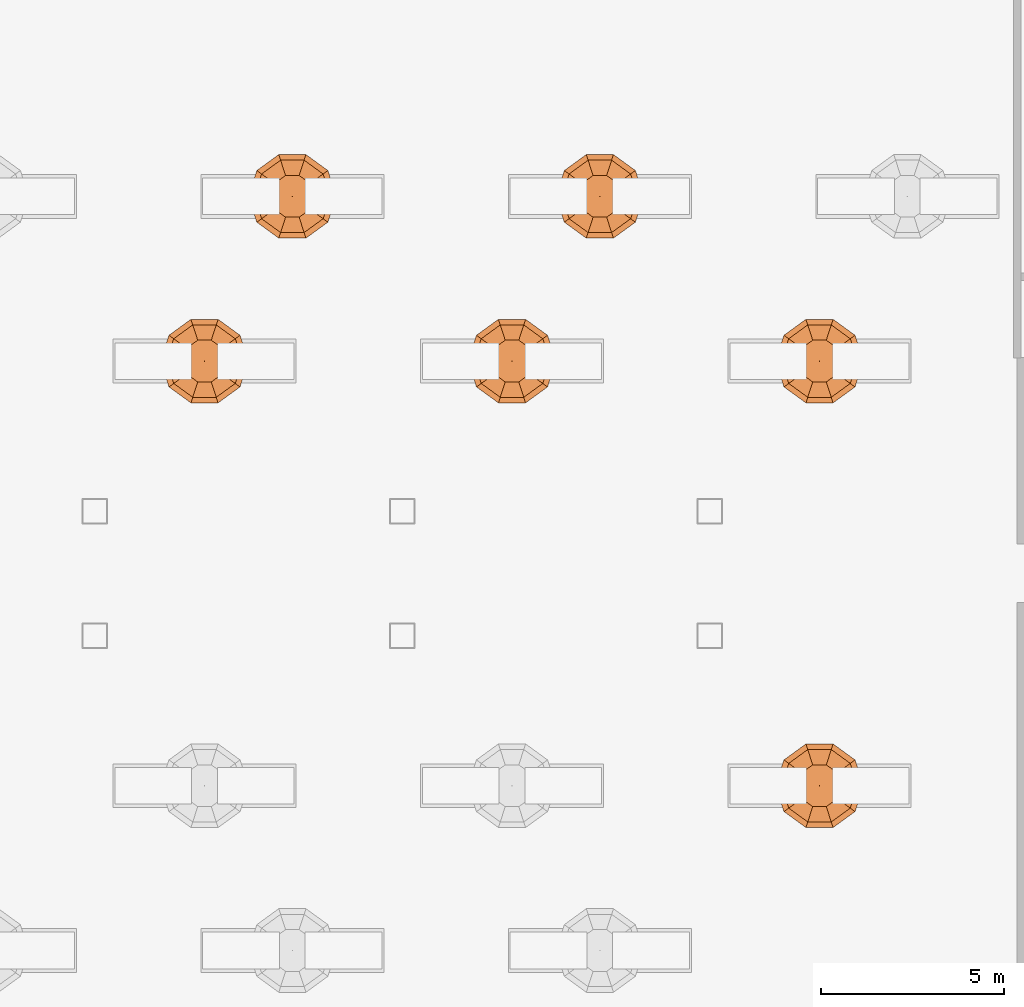
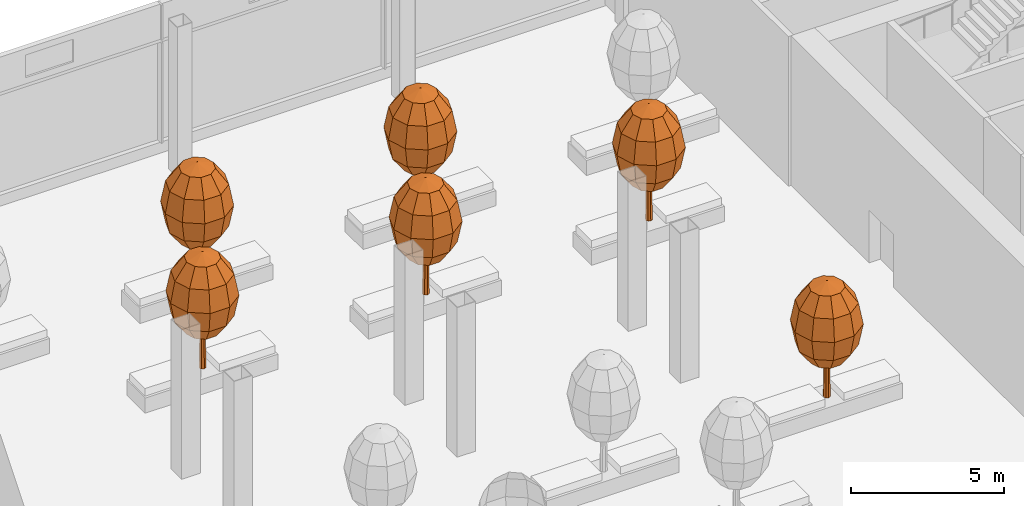
# One storey, part 39 of 41: 6 geographic elements.
"""IFC4 building model written with IfcOpenShell, lengths in metres."""

from ifc_helpers import new_model, si_unit, direction, frame, origin, place, context, subcontext, project, spatial, triangles, material, type_object, element, save


model = new_model("IFC4")

# Units and contexts
model_context = context("Model", 3, precision=1e-05, world=origin(), true_north=direction((0.0, 1.0)))
body_context = subcontext(model_context, "Body", "Model", "MODEL_VIEW")
ifc_project = project(units=[si_unit("LENGTHUNIT", "METRE"), si_unit("AREAUNIT", "SQUARE_METRE"), si_unit("VOLUMEUNIT", "CUBIC_METRE"), si_unit("PLANEANGLEUNIT", "RADIAN"), si_unit("MASSUNIT", "GRAM", prefix="KILO")], contexts=[model_context])

# Site, building, storey
site_placement = place(None, origin())
site = spatial("IfcSite", under=ifc_project, at=site_placement, CompositionType="ELEMENT")
building_placement = place(site_placement, origin())
building = spatial("IfcBuilding", under=site, at=building_placement, Name="Hakoniwa Tower and Hamabe Station Hall", CompositionType="ELEMENT")
storey_placement = place(building_placement, frame((0.0, 0.0, 180.199951171875)))
storey = spatial("IfcBuildingStorey", under=building, at=storey_placement, Name="L51", CompositionType="ELEMENT", Elevation=180.199951171875)

# Geographic elements
ifc_material = material(Name="Tree foliage")
geographic_element_type = type_object("IfcGeographicElementType", Name="Camellia 4.6 m", PredefinedType="USERDEFINED", material=ifc_material)
geographic_element_1_placement = place(storey_placement, frame((-5.39990234375, 8.300048828125, 0.60009765625)))
element("IfcGeographicElement", 1, at=geographic_element_1_placement, inside=storey, type_object=geographic_element_type, Name="Camellia 4-6 m", ObjectType="TREE", PredefinedType="USERDEFINED", context=body_context, shape_type="Tessellation", body=[
    triangles([(0.125, 0.0, 0.0), (0.08837890625, 0.08837890625, 0.0), (0.0, 0.125, 0.0), (-0.08837890625, 0.08837890625, 0.0), (-0.125, 0.0, 0.0), (-0.08837890625, -0.08837890625, 0.0), (0.0, -0.125, 0.0), (0.08837890625, -0.08837890625, 0.0), (0.074951171875, 0.0, 2.778564453125), (0.052978515625, 0.052978515625, 2.778564453125), (0.0, 0.074951171875, 2.778564453125), (-0.052978515625, 0.052978515625, 2.778564453125), (-0.074951171875, 0.0, 2.778564453125), (-0.052978515625, -0.052978515625, 2.778564453125), (0.0, -0.074951171875, 2.778564453125), (0.052978515625, -0.052978515625, 2.778564453125), (0.0, 0.0, 0.0), (0.0, 0.0, 2.778564453125)], [[1, 2, 10], [1, 10, 9], [17, 2, 1], [18, 9, 10], [2, 3, 11], [2, 11, 10], [17, 3, 2], [18, 10, 11], [3, 4, 12], [3, 12, 11], [17, 4, 3], [18, 11, 12], [4, 5, 13], [4, 13, 12], [17, 5, 4], [18, 12, 13], [5, 6, 14], [5, 14, 13], [17, 6, 5], [18, 13, 14], [6, 7, 15], [6, 15, 14], [17, 7, 6], [18, 14, 15], [7, 8, 16], [7, 16, 15], [17, 8, 7], [18, 15, 16], [8, 1, 9], [8, 9, 16], [17, 1, 8], [18, 16, 9]], closed=True),
    triangles([(0.0, 0.0, 1.2880859375), (0.599853515625, 0.0, 1.510009765625), (0.4853515625, 0.3525390625, 1.510009765625), (0.185302734375, 0.570556640625, 1.510009765625), (-0.185302734375, 0.570556640625, 1.510009765625), (-0.4853515625, 0.3525390625, 1.510009765625), (-0.599853515625, 0.0, 1.510009765625), (-0.4853515625, -0.3525390625, 1.510009765625), (-0.185302734375, -0.570556640625, 1.510009765625), (0.185302734375, -0.570556640625, 1.510009765625), (0.4853515625, -0.3525390625, 1.510009765625), (1.039306640625, 0.0, 2.115966796875), (0.8408203125, 0.61083984375, 2.115966796875), (0.321044921875, 0.98828125, 2.115966796875), (-0.321044921875, 0.98828125, 2.115966796875), (-0.8408203125, 0.61083984375, 2.115966796875), (-1.039306640625, 0.0, 2.115966796875), (-0.8408203125, -0.61083984375, 2.115966796875), (-0.321044921875, -0.98828125, 2.115966796875), (0.321044921875, -0.98828125, 2.115966796875), (0.8408203125, -0.61083984375, 2.115966796875), (1.199951171875, 0.0, 2.944091796875), (0.970703125, 0.705322265625, 2.944091796875), (0.370849609375, 1.14111328125, 2.944091796875), (-0.370849609375, 1.14111328125, 2.944091796875), (-0.970703125, 0.705322265625, 2.944091796875), (-1.199951171875, 0.0, 2.944091796875), (-0.970703125, -0.705322265625, 2.944091796875), (-0.370849609375, -1.14111328125, 2.944091796875), (0.370849609375, -1.14111328125, 2.944091796875), (0.970703125, -0.705322265625, 2.944091796875), (1.039306640625, 0.0, 3.77197265625), (0.8408203125, 0.61083984375, 3.77197265625), (0.321044921875, 0.98828125, 3.77197265625), (-0.321044921875, 0.98828125, 3.77197265625), (-0.8408203125, 0.61083984375, 3.77197265625), (-1.039306640625, 0.0, 3.77197265625), (-0.8408203125, -0.61083984375, 3.77197265625), (-0.321044921875, -0.98828125, 3.77197265625), (0.321044921875, -0.98828125, 3.77197265625), (0.8408203125, -0.61083984375, 3.77197265625), (0.599853515625, 0.0, 4.378173828125), (0.4853515625, 0.3525390625, 4.378173828125), (0.185302734375, 0.570556640625, 4.378173828125), (-0.185302734375, 0.570556640625, 4.378173828125), (-0.4853515625, 0.3525390625, 4.378173828125), (-0.599853515625, 0.0, 4.378173828125), (-0.4853515625, -0.3525390625, 4.378173828125), (-0.185302734375, -0.570556640625, 4.378173828125), (0.185302734375, -0.570556640625, 4.378173828125), (0.4853515625, -0.3525390625, 4.378173828125), (0.0, 0.0, 4.60009765625)], [[1, 3, 2], [1, 4, 3], [1, 5, 4], [1, 6, 5], [1, 7, 6], [1, 8, 7], [1, 9, 8], [1, 10, 9], [1, 11, 10], [1, 2, 11], [2, 3, 13], [2, 13, 12], [3, 4, 14], [3, 14, 13], [4, 5, 15], [4, 15, 14], [5, 6, 16], [5, 16, 15], [6, 7, 17], [6, 17, 16], [7, 8, 18], [7, 18, 17], [8, 9, 19], [8, 19, 18], [9, 10, 20], [9, 20, 19], [10, 11, 21], [10, 21, 20], [11, 2, 12], [11, 12, 21], [12, 13, 23], [12, 23, 22], [13, 14, 24], [13, 24, 23], [14, 15, 25], [14, 25, 24], [15, 16, 26], [15, 26, 25], [16, 17, 27], [16, 27, 26], [17, 18, 28], [17, 28, 27], [18, 19, 29], [18, 29, 28], [19, 20, 30], [19, 30, 29], [20, 21, 31], [20, 31, 30], [21, 12, 22], [21, 22, 31], [22, 23, 33], [22, 33, 32], [23, 24, 34], [23, 34, 33], [24, 25, 35], [24, 35, 34], [25, 26, 36], [25, 36, 35], [26, 27, 37], [26, 37, 36], [27, 28, 38], [27, 38, 37], [28, 29, 39], [28, 39, 38], [29, 30, 40], [29, 40, 39], [30, 31, 41], [30, 41, 40], [31, 22, 32], [31, 32, 41], [32, 33, 43], [32, 43, 42], [33, 34, 44], [33, 44, 43], [34, 35, 45], [34, 45, 44], [35, 36, 46], [35, 46, 45], [36, 37, 47], [36, 47, 46], [37, 38, 48], [37, 48, 47], [38, 39, 49], [38, 49, 48], [39, 40, 50], [39, 50, 49], [40, 41, 51], [40, 51, 50], [41, 32, 42], [41, 42, 51], [52, 42, 43], [52, 43, 44], [52, 44, 45], [52, 45, 46], [52, 46, 47], [52, 47, 48], [52, 48, 49], [52, 49, 50], [52, 50, 51], [52, 51, 42]], closed=True),
])
geographic_element_2_placement = place(storey_placement, frame((3.0, 8.300048828125, 0.60009765625)))
element("IfcGeographicElement", 2, at=geographic_element_2_placement, inside=storey, type_object=geographic_element_type, Name="Camellia 4-6 m", ObjectType="TREE", PredefinedType="USERDEFINED", context=body_context, shape_type="Tessellation", body=[
    triangles([(0.125, 0.0, 0.0), (0.08837890625, 0.08837890625, 0.0), (0.0, 0.125, 0.0), (-0.08837890625, 0.08837890625, 0.0), (-0.125, 0.0, 0.0), (-0.08837890625, -0.08837890625, 0.0), (0.0, -0.125, 0.0), (0.08837890625, -0.08837890625, 0.0), (0.074951171875, 0.0, 2.778564453125), (0.052978515625, 0.052978515625, 2.778564453125), (0.0, 0.074951171875, 2.778564453125), (-0.052978515625, 0.052978515625, 2.778564453125), (-0.074951171875, 0.0, 2.778564453125), (-0.052978515625, -0.052978515625, 2.778564453125), (0.0, -0.074951171875, 2.778564453125), (0.052978515625, -0.052978515625, 2.778564453125), (0.0, 0.0, 0.0), (0.0, 0.0, 2.778564453125)], [[1, 2, 10], [1, 10, 9], [17, 2, 1], [18, 9, 10], [2, 3, 11], [2, 11, 10], [17, 3, 2], [18, 10, 11], [3, 4, 12], [3, 12, 11], [17, 4, 3], [18, 11, 12], [4, 5, 13], [4, 13, 12], [17, 5, 4], [18, 12, 13], [5, 6, 14], [5, 14, 13], [17, 6, 5], [18, 13, 14], [6, 7, 15], [6, 15, 14], [17, 7, 6], [18, 14, 15], [7, 8, 16], [7, 16, 15], [17, 8, 7], [18, 15, 16], [8, 1, 9], [8, 9, 16], [17, 1, 8], [18, 16, 9]], closed=True),
    triangles([(0.0, 0.0, 1.2880859375), (0.599853515625, 0.0, 1.510009765625), (0.4853515625, 0.3525390625, 1.510009765625), (0.185302734375, 0.570556640625, 1.510009765625), (-0.185302734375, 0.570556640625, 1.510009765625), (-0.4853515625, 0.3525390625, 1.510009765625), (-0.599853515625, 0.0, 1.510009765625), (-0.4853515625, -0.3525390625, 1.510009765625), (-0.185302734375, -0.570556640625, 1.510009765625), (0.185302734375, -0.570556640625, 1.510009765625), (0.4853515625, -0.3525390625, 1.510009765625), (1.039306640625, 0.0, 2.115966796875), (0.8408203125, 0.61083984375, 2.115966796875), (0.321044921875, 0.98828125, 2.115966796875), (-0.321044921875, 0.98828125, 2.115966796875), (-0.8408203125, 0.61083984375, 2.115966796875), (-1.039306640625, 0.0, 2.115966796875), (-0.8408203125, -0.61083984375, 2.115966796875), (-0.321044921875, -0.98828125, 2.115966796875), (0.321044921875, -0.98828125, 2.115966796875), (0.8408203125, -0.61083984375, 2.115966796875), (1.199951171875, 0.0, 2.944091796875), (0.970703125, 0.705322265625, 2.944091796875), (0.370849609375, 1.14111328125, 2.944091796875), (-0.370849609375, 1.14111328125, 2.944091796875), (-0.970703125, 0.705322265625, 2.944091796875), (-1.199951171875, 0.0, 2.944091796875), (-0.970703125, -0.705322265625, 2.944091796875), (-0.370849609375, -1.14111328125, 2.944091796875), (0.370849609375, -1.14111328125, 2.944091796875), (0.970703125, -0.705322265625, 2.944091796875), (1.039306640625, 0.0, 3.77197265625), (0.8408203125, 0.61083984375, 3.77197265625), (0.321044921875, 0.98828125, 3.77197265625), (-0.321044921875, 0.98828125, 3.77197265625), (-0.8408203125, 0.61083984375, 3.77197265625), (-1.039306640625, 0.0, 3.77197265625), (-0.8408203125, -0.61083984375, 3.77197265625), (-0.321044921875, -0.98828125, 3.77197265625), (0.321044921875, -0.98828125, 3.77197265625), (0.8408203125, -0.61083984375, 3.77197265625), (0.599853515625, 0.0, 4.378173828125), (0.4853515625, 0.3525390625, 4.378173828125), (0.185302734375, 0.570556640625, 4.378173828125), (-0.185302734375, 0.570556640625, 4.378173828125), (-0.4853515625, 0.3525390625, 4.378173828125), (-0.599853515625, 0.0, 4.378173828125), (-0.4853515625, -0.3525390625, 4.378173828125), (-0.185302734375, -0.570556640625, 4.378173828125), (0.185302734375, -0.570556640625, 4.378173828125), (0.4853515625, -0.3525390625, 4.378173828125), (0.0, 0.0, 4.60009765625)], [[1, 3, 2], [1, 4, 3], [1, 5, 4], [1, 6, 5], [1, 7, 6], [1, 8, 7], [1, 9, 8], [1, 10, 9], [1, 11, 10], [1, 2, 11], [2, 3, 13], [2, 13, 12], [3, 4, 14], [3, 14, 13], [4, 5, 15], [4, 15, 14], [5, 6, 16], [5, 16, 15], [6, 7, 17], [6, 17, 16], [7, 8, 18], [7, 18, 17], [8, 9, 19], [8, 19, 18], [9, 10, 20], [9, 20, 19], [10, 11, 21], [10, 21, 20], [11, 2, 12], [11, 12, 21], [12, 13, 23], [12, 23, 22], [13, 14, 24], [13, 24, 23], [14, 15, 25], [14, 25, 24], [15, 16, 26], [15, 26, 25], [16, 17, 27], [16, 27, 26], [17, 18, 28], [17, 28, 27], [18, 19, 29], [18, 29, 28], [19, 20, 30], [19, 30, 29], [20, 21, 31], [20, 31, 30], [21, 12, 22], [21, 22, 31], [22, 23, 33], [22, 33, 32], [23, 24, 34], [23, 34, 33], [24, 25, 35], [24, 35, 34], [25, 26, 36], [25, 36, 35], [26, 27, 37], [26, 37, 36], [27, 28, 38], [27, 38, 37], [28, 29, 39], [28, 39, 38], [29, 30, 40], [29, 40, 39], [30, 31, 41], [30, 41, 40], [31, 22, 32], [31, 32, 41], [32, 33, 43], [32, 43, 42], [33, 34, 44], [33, 44, 43], [34, 35, 45], [34, 45, 44], [35, 36, 46], [35, 46, 45], [36, 37, 47], [36, 47, 46], [37, 38, 48], [37, 48, 47], [38, 39, 49], [38, 49, 48], [39, 40, 50], [39, 50, 49], [40, 41, 51], [40, 51, 50], [41, 32, 42], [41, 42, 51], [52, 42, 43], [52, 43, 44], [52, 44, 45], [52, 45, 46], [52, 46, 47], [52, 47, 48], [52, 48, 49], [52, 49, 50], [52, 50, 51], [52, 51, 42]], closed=True),
])
geographic_element_3_placement = place(storey_placement, frame((11.39990234375, 8.300048828125, 0.60009765625)))
element("IfcGeographicElement", 3, at=geographic_element_3_placement, inside=storey, type_object=geographic_element_type, Name="Camellia 4-6 m", ObjectType="TREE", PredefinedType="USERDEFINED", context=body_context, shape_type="Tessellation", body=[
    triangles([(0.125, 0.0, 0.0), (0.08837890625, 0.08837890625, 0.0), (0.0, 0.125, 0.0), (-0.08837890625, 0.08837890625, 0.0), (-0.125, 0.0, 0.0), (-0.08837890625, -0.08837890625, 0.0), (0.0, -0.125, 0.0), (0.08837890625, -0.08837890625, 0.0), (0.074951171875, 0.0, 2.778564453125), (0.052978515625, 0.052978515625, 2.778564453125), (0.0, 0.074951171875, 2.778564453125), (-0.052978515625, 0.052978515625, 2.778564453125), (-0.074951171875, 0.0, 2.778564453125), (-0.052978515625, -0.052978515625, 2.778564453125), (0.0, -0.074951171875, 2.778564453125), (0.052978515625, -0.052978515625, 2.778564453125), (0.0, 0.0, 0.0), (0.0, 0.0, 2.778564453125)], [[1, 2, 10], [1, 10, 9], [17, 2, 1], [18, 9, 10], [2, 3, 11], [2, 11, 10], [17, 3, 2], [18, 10, 11], [3, 4, 12], [3, 12, 11], [17, 4, 3], [18, 11, 12], [4, 5, 13], [4, 13, 12], [17, 5, 4], [18, 12, 13], [5, 6, 14], [5, 14, 13], [17, 6, 5], [18, 13, 14], [6, 7, 15], [6, 15, 14], [17, 7, 6], [18, 14, 15], [7, 8, 16], [7, 16, 15], [17, 8, 7], [18, 15, 16], [8, 1, 9], [8, 9, 16], [17, 1, 8], [18, 16, 9]], closed=True),
    triangles([(0.0, 0.0, 1.2880859375), (0.599853515625, 0.0, 1.510009765625), (0.4853515625, 0.3525390625, 1.510009765625), (0.185302734375, 0.570556640625, 1.510009765625), (-0.185302734375, 0.570556640625, 1.510009765625), (-0.4853515625, 0.3525390625, 1.510009765625), (-0.599853515625, 0.0, 1.510009765625), (-0.4853515625, -0.3525390625, 1.510009765625), (-0.185302734375, -0.570556640625, 1.510009765625), (0.185302734375, -0.570556640625, 1.510009765625), (0.4853515625, -0.3525390625, 1.510009765625), (1.039306640625, 0.0, 2.115966796875), (0.8408203125, 0.61083984375, 2.115966796875), (0.321044921875, 0.98828125, 2.115966796875), (-0.321044921875, 0.98828125, 2.115966796875), (-0.8408203125, 0.61083984375, 2.115966796875), (-1.039306640625, 0.0, 2.115966796875), (-0.8408203125, -0.61083984375, 2.115966796875), (-0.321044921875, -0.98828125, 2.115966796875), (0.321044921875, -0.98828125, 2.115966796875), (0.8408203125, -0.61083984375, 2.115966796875), (1.199951171875, 0.0, 2.944091796875), (0.970703125, 0.705322265625, 2.944091796875), (0.370849609375, 1.14111328125, 2.944091796875), (-0.370849609375, 1.14111328125, 2.944091796875), (-0.970703125, 0.705322265625, 2.944091796875), (-1.199951171875, 0.0, 2.944091796875), (-0.970703125, -0.705322265625, 2.944091796875), (-0.370849609375, -1.14111328125, 2.944091796875), (0.370849609375, -1.14111328125, 2.944091796875), (0.970703125, -0.705322265625, 2.944091796875), (1.039306640625, 0.0, 3.77197265625), (0.8408203125, 0.61083984375, 3.77197265625), (0.321044921875, 0.98828125, 3.77197265625), (-0.321044921875, 0.98828125, 3.77197265625), (-0.8408203125, 0.61083984375, 3.77197265625), (-1.039306640625, 0.0, 3.77197265625), (-0.8408203125, -0.61083984375, 3.77197265625), (-0.321044921875, -0.98828125, 3.77197265625), (0.321044921875, -0.98828125, 3.77197265625), (0.8408203125, -0.61083984375, 3.77197265625), (0.599853515625, 0.0, 4.378173828125), (0.4853515625, 0.3525390625, 4.378173828125), (0.185302734375, 0.570556640625, 4.378173828125), (-0.185302734375, 0.570556640625, 4.378173828125), (-0.4853515625, 0.3525390625, 4.378173828125), (-0.599853515625, 0.0, 4.378173828125), (-0.4853515625, -0.3525390625, 4.378173828125), (-0.185302734375, -0.570556640625, 4.378173828125), (0.185302734375, -0.570556640625, 4.378173828125), (0.4853515625, -0.3525390625, 4.378173828125), (0.0, 0.0, 4.60009765625)], [[1, 3, 2], [1, 4, 3], [1, 5, 4], [1, 6, 5], [1, 7, 6], [1, 8, 7], [1, 9, 8], [1, 10, 9], [1, 11, 10], [1, 2, 11], [2, 3, 13], [2, 13, 12], [3, 4, 14], [3, 14, 13], [4, 5, 15], [4, 15, 14], [5, 6, 16], [5, 16, 15], [6, 7, 17], [6, 17, 16], [7, 8, 18], [7, 18, 17], [8, 9, 19], [8, 19, 18], [9, 10, 20], [9, 20, 19], [10, 11, 21], [10, 21, 20], [11, 2, 12], [11, 12, 21], [12, 13, 23], [12, 23, 22], [13, 14, 24], [13, 24, 23], [14, 15, 25], [14, 25, 24], [15, 16, 26], [15, 26, 25], [16, 17, 27], [16, 27, 26], [17, 18, 28], [17, 28, 27], [18, 19, 29], [18, 29, 28], [19, 20, 30], [19, 30, 29], [20, 21, 31], [20, 31, 30], [21, 12, 22], [21, 22, 31], [22, 23, 33], [22, 33, 32], [23, 24, 34], [23, 34, 33], [24, 25, 35], [24, 35, 34], [25, 26, 36], [25, 36, 35], [26, 27, 37], [26, 37, 36], [27, 28, 38], [27, 38, 37], [28, 29, 39], [28, 39, 38], [29, 30, 40], [29, 40, 39], [30, 31, 41], [30, 41, 40], [31, 22, 32], [31, 32, 41], [32, 33, 43], [32, 43, 42], [33, 34, 44], [33, 44, 43], [34, 35, 45], [34, 45, 44], [35, 36, 46], [35, 46, 45], [36, 37, 47], [36, 47, 46], [37, 38, 48], [37, 48, 47], [38, 39, 49], [38, 49, 48], [39, 40, 50], [39, 50, 49], [40, 41, 51], [40, 51, 50], [41, 32, 42], [41, 42, 51], [52, 42, 43], [52, 43, 44], [52, 44, 45], [52, 45, 46], [52, 46, 47], [52, 47, 48], [52, 48, 49], [52, 49, 50], [52, 50, 51], [52, 51, 42]], closed=True),
])
geographic_element_4_placement = place(storey_placement, frame((-3.0, 12.800048828125, 0.60009765625)))
element("IfcGeographicElement", 4, at=geographic_element_4_placement, inside=storey, type_object=geographic_element_type, Name="Camellia 4-6 m", ObjectType="TREE", PredefinedType="USERDEFINED", context=body_context, shape_type="Tessellation", body=[
    triangles([(0.125, 0.0, 0.0), (0.08837890625, 0.08837890625, 0.0), (0.0, 0.125, 0.0), (-0.08837890625, 0.08837890625, 0.0), (-0.125, 0.0, 0.0), (-0.08837890625, -0.08837890625, 0.0), (0.0, -0.125, 0.0), (0.08837890625, -0.08837890625, 0.0), (0.074951171875, 0.0, 2.778564453125), (0.052978515625, 0.052978515625, 2.778564453125), (0.0, 0.074951171875, 2.778564453125), (-0.052978515625, 0.052978515625, 2.778564453125), (-0.074951171875, 0.0, 2.778564453125), (-0.052978515625, -0.052978515625, 2.778564453125), (0.0, -0.074951171875, 2.778564453125), (0.052978515625, -0.052978515625, 2.778564453125), (0.0, 0.0, 0.0), (0.0, 0.0, 2.778564453125)], [[1, 2, 10], [1, 10, 9], [17, 2, 1], [18, 9, 10], [2, 3, 11], [2, 11, 10], [17, 3, 2], [18, 10, 11], [3, 4, 12], [3, 12, 11], [17, 4, 3], [18, 11, 12], [4, 5, 13], [4, 13, 12], [17, 5, 4], [18, 12, 13], [5, 6, 14], [5, 14, 13], [17, 6, 5], [18, 13, 14], [6, 7, 15], [6, 15, 14], [17, 7, 6], [18, 14, 15], [7, 8, 16], [7, 16, 15], [17, 8, 7], [18, 15, 16], [8, 1, 9], [8, 9, 16], [17, 1, 8], [18, 16, 9]], closed=True),
    triangles([(0.0, 0.0, 1.2880859375), (0.599853515625, 0.0, 1.510009765625), (0.4853515625, 0.3525390625, 1.510009765625), (0.185302734375, 0.570556640625, 1.510009765625), (-0.185302734375, 0.570556640625, 1.510009765625), (-0.4853515625, 0.3525390625, 1.510009765625), (-0.599853515625, 0.0, 1.510009765625), (-0.4853515625, -0.3525390625, 1.510009765625), (-0.185302734375, -0.570556640625, 1.510009765625), (0.185302734375, -0.570556640625, 1.510009765625), (0.4853515625, -0.3525390625, 1.510009765625), (1.039306640625, 0.0, 2.115966796875), (0.8408203125, 0.61083984375, 2.115966796875), (0.321044921875, 0.98828125, 2.115966796875), (-0.321044921875, 0.98828125, 2.115966796875), (-0.8408203125, 0.61083984375, 2.115966796875), (-1.039306640625, 0.0, 2.115966796875), (-0.8408203125, -0.61083984375, 2.115966796875), (-0.321044921875, -0.98828125, 2.115966796875), (0.321044921875, -0.98828125, 2.115966796875), (0.8408203125, -0.61083984375, 2.115966796875), (1.199951171875, 0.0, 2.944091796875), (0.970703125, 0.705322265625, 2.944091796875), (0.370849609375, 1.14111328125, 2.944091796875), (-0.370849609375, 1.14111328125, 2.944091796875), (-0.970703125, 0.705322265625, 2.944091796875), (-1.199951171875, 0.0, 2.944091796875), (-0.970703125, -0.705322265625, 2.944091796875), (-0.370849609375, -1.14111328125, 2.944091796875), (0.370849609375, -1.14111328125, 2.944091796875), (0.970703125, -0.705322265625, 2.944091796875), (1.039306640625, 0.0, 3.77197265625), (0.8408203125, 0.61083984375, 3.77197265625), (0.321044921875, 0.98828125, 3.77197265625), (-0.321044921875, 0.98828125, 3.77197265625), (-0.8408203125, 0.61083984375, 3.77197265625), (-1.039306640625, 0.0, 3.77197265625), (-0.8408203125, -0.61083984375, 3.77197265625), (-0.321044921875, -0.98828125, 3.77197265625), (0.321044921875, -0.98828125, 3.77197265625), (0.8408203125, -0.61083984375, 3.77197265625), (0.599853515625, 0.0, 4.378173828125), (0.4853515625, 0.3525390625, 4.378173828125), (0.185302734375, 0.570556640625, 4.378173828125), (-0.185302734375, 0.570556640625, 4.378173828125), (-0.4853515625, 0.3525390625, 4.378173828125), (-0.599853515625, 0.0, 4.378173828125), (-0.4853515625, -0.3525390625, 4.378173828125), (-0.185302734375, -0.570556640625, 4.378173828125), (0.185302734375, -0.570556640625, 4.378173828125), (0.4853515625, -0.3525390625, 4.378173828125), (0.0, 0.0, 4.60009765625)], [[1, 3, 2], [1, 4, 3], [1, 5, 4], [1, 6, 5], [1, 7, 6], [1, 8, 7], [1, 9, 8], [1, 10, 9], [1, 11, 10], [1, 2, 11], [2, 3, 13], [2, 13, 12], [3, 4, 14], [3, 14, 13], [4, 5, 15], [4, 15, 14], [5, 6, 16], [5, 16, 15], [6, 7, 17], [6, 17, 16], [7, 8, 18], [7, 18, 17], [8, 9, 19], [8, 19, 18], [9, 10, 20], [9, 20, 19], [10, 11, 21], [10, 21, 20], [11, 2, 12], [11, 12, 21], [12, 13, 23], [12, 23, 22], [13, 14, 24], [13, 24, 23], [14, 15, 25], [14, 25, 24], [15, 16, 26], [15, 26, 25], [16, 17, 27], [16, 27, 26], [17, 18, 28], [17, 28, 27], [18, 19, 29], [18, 29, 28], [19, 20, 30], [19, 30, 29], [20, 21, 31], [20, 31, 30], [21, 12, 22], [21, 22, 31], [22, 23, 33], [22, 33, 32], [23, 24, 34], [23, 34, 33], [24, 25, 35], [24, 35, 34], [25, 26, 36], [25, 36, 35], [26, 27, 37], [26, 37, 36], [27, 28, 38], [27, 38, 37], [28, 29, 39], [28, 39, 38], [29, 30, 40], [29, 40, 39], [30, 31, 41], [30, 41, 40], [31, 22, 32], [31, 32, 41], [32, 33, 43], [32, 43, 42], [33, 34, 44], [33, 44, 43], [34, 35, 45], [34, 45, 44], [35, 36, 46], [35, 46, 45], [36, 37, 47], [36, 47, 46], [37, 38, 48], [37, 48, 47], [38, 39, 49], [38, 49, 48], [39, 40, 50], [39, 50, 49], [40, 41, 51], [40, 51, 50], [41, 32, 42], [41, 42, 51], [52, 42, 43], [52, 43, 44], [52, 44, 45], [52, 45, 46], [52, 46, 47], [52, 47, 48], [52, 48, 49], [52, 49, 50], [52, 50, 51], [52, 51, 42]], closed=True),
])
geographic_element_5_placement = place(storey_placement, frame((5.39990234375, 12.800048828125, 0.60009765625)))
element("IfcGeographicElement", 5, at=geographic_element_5_placement, inside=storey, type_object=geographic_element_type, Name="Camellia 4-6 m", ObjectType="TREE", PredefinedType="USERDEFINED", context=body_context, shape_type="Tessellation", body=[
    triangles([(0.125, 0.0, 0.0), (0.08837890625, 0.08837890625, 0.0), (0.0, 0.125, 0.0), (-0.08837890625, 0.08837890625, 0.0), (-0.125, 0.0, 0.0), (-0.08837890625, -0.08837890625, 0.0), (0.0, -0.125, 0.0), (0.08837890625, -0.08837890625, 0.0), (0.074951171875, 0.0, 2.778564453125), (0.052978515625, 0.052978515625, 2.778564453125), (0.0, 0.074951171875, 2.778564453125), (-0.052978515625, 0.052978515625, 2.778564453125), (-0.074951171875, 0.0, 2.778564453125), (-0.052978515625, -0.052978515625, 2.778564453125), (0.0, -0.074951171875, 2.778564453125), (0.052978515625, -0.052978515625, 2.778564453125), (0.0, 0.0, 0.0), (0.0, 0.0, 2.778564453125)], [[1, 2, 10], [1, 10, 9], [17, 2, 1], [18, 9, 10], [2, 3, 11], [2, 11, 10], [17, 3, 2], [18, 10, 11], [3, 4, 12], [3, 12, 11], [17, 4, 3], [18, 11, 12], [4, 5, 13], [4, 13, 12], [17, 5, 4], [18, 12, 13], [5, 6, 14], [5, 14, 13], [17, 6, 5], [18, 13, 14], [6, 7, 15], [6, 15, 14], [17, 7, 6], [18, 14, 15], [7, 8, 16], [7, 16, 15], [17, 8, 7], [18, 15, 16], [8, 1, 9], [8, 9, 16], [17, 1, 8], [18, 16, 9]], closed=True),
    triangles([(0.0, 0.0, 1.2880859375), (0.599853515625, 0.0, 1.510009765625), (0.4853515625, 0.3525390625, 1.510009765625), (0.185302734375, 0.570556640625, 1.510009765625), (-0.185302734375, 0.570556640625, 1.510009765625), (-0.4853515625, 0.3525390625, 1.510009765625), (-0.599853515625, 0.0, 1.510009765625), (-0.4853515625, -0.3525390625, 1.510009765625), (-0.185302734375, -0.570556640625, 1.510009765625), (0.185302734375, -0.570556640625, 1.510009765625), (0.4853515625, -0.3525390625, 1.510009765625), (1.039306640625, 0.0, 2.115966796875), (0.8408203125, 0.61083984375, 2.115966796875), (0.321044921875, 0.98828125, 2.115966796875), (-0.321044921875, 0.98828125, 2.115966796875), (-0.8408203125, 0.61083984375, 2.115966796875), (-1.039306640625, 0.0, 2.115966796875), (-0.8408203125, -0.61083984375, 2.115966796875), (-0.321044921875, -0.98828125, 2.115966796875), (0.321044921875, -0.98828125, 2.115966796875), (0.8408203125, -0.61083984375, 2.115966796875), (1.199951171875, 0.0, 2.944091796875), (0.970703125, 0.705322265625, 2.944091796875), (0.370849609375, 1.14111328125, 2.944091796875), (-0.370849609375, 1.14111328125, 2.944091796875), (-0.970703125, 0.705322265625, 2.944091796875), (-1.199951171875, 0.0, 2.944091796875), (-0.970703125, -0.705322265625, 2.944091796875), (-0.370849609375, -1.14111328125, 2.944091796875), (0.370849609375, -1.14111328125, 2.944091796875), (0.970703125, -0.705322265625, 2.944091796875), (1.039306640625, 0.0, 3.77197265625), (0.8408203125, 0.61083984375, 3.77197265625), (0.321044921875, 0.98828125, 3.77197265625), (-0.321044921875, 0.98828125, 3.77197265625), (-0.8408203125, 0.61083984375, 3.77197265625), (-1.039306640625, 0.0, 3.77197265625), (-0.8408203125, -0.61083984375, 3.77197265625), (-0.321044921875, -0.98828125, 3.77197265625), (0.321044921875, -0.98828125, 3.77197265625), (0.8408203125, -0.61083984375, 3.77197265625), (0.599853515625, 0.0, 4.378173828125), (0.4853515625, 0.3525390625, 4.378173828125), (0.185302734375, 0.570556640625, 4.378173828125), (-0.185302734375, 0.570556640625, 4.378173828125), (-0.4853515625, 0.3525390625, 4.378173828125), (-0.599853515625, 0.0, 4.378173828125), (-0.4853515625, -0.3525390625, 4.378173828125), (-0.185302734375, -0.570556640625, 4.378173828125), (0.185302734375, -0.570556640625, 4.378173828125), (0.4853515625, -0.3525390625, 4.378173828125), (0.0, 0.0, 4.60009765625)], [[1, 3, 2], [1, 4, 3], [1, 5, 4], [1, 6, 5], [1, 7, 6], [1, 8, 7], [1, 9, 8], [1, 10, 9], [1, 11, 10], [1, 2, 11], [2, 3, 13], [2, 13, 12], [3, 4, 14], [3, 14, 13], [4, 5, 15], [4, 15, 14], [5, 6, 16], [5, 16, 15], [6, 7, 17], [6, 17, 16], [7, 8, 18], [7, 18, 17], [8, 9, 19], [8, 19, 18], [9, 10, 20], [9, 20, 19], [10, 11, 21], [10, 21, 20], [11, 2, 12], [11, 12, 21], [12, 13, 23], [12, 23, 22], [13, 14, 24], [13, 24, 23], [14, 15, 25], [14, 25, 24], [15, 16, 26], [15, 26, 25], [16, 17, 27], [16, 27, 26], [17, 18, 28], [17, 28, 27], [18, 19, 29], [18, 29, 28], [19, 20, 30], [19, 30, 29], [20, 21, 31], [20, 31, 30], [21, 12, 22], [21, 22, 31], [22, 23, 33], [22, 33, 32], [23, 24, 34], [23, 34, 33], [24, 25, 35], [24, 35, 34], [25, 26, 36], [25, 36, 35], [26, 27, 37], [26, 37, 36], [27, 28, 38], [27, 38, 37], [28, 29, 39], [28, 39, 38], [29, 30, 40], [29, 40, 39], [30, 31, 41], [30, 41, 40], [31, 22, 32], [31, 32, 41], [32, 33, 43], [32, 43, 42], [33, 34, 44], [33, 44, 43], [34, 35, 45], [34, 45, 44], [35, 36, 46], [35, 46, 45], [36, 37, 47], [36, 47, 46], [37, 38, 48], [37, 48, 47], [38, 39, 49], [38, 49, 48], [39, 40, 50], [39, 50, 49], [40, 41, 51], [40, 51, 50], [41, 32, 42], [41, 42, 51], [52, 42, 43], [52, 43, 44], [52, 44, 45], [52, 45, 46], [52, 46, 47], [52, 47, 48], [52, 48, 49], [52, 49, 50], [52, 50, 51], [52, 51, 42]], closed=True),
])
geographic_element_6_placement = place(storey_placement, frame((11.39990234375, -3.300048828125, 0.60009765625)))
element("IfcGeographicElement", 6, at=geographic_element_6_placement, inside=storey, type_object=geographic_element_type, Name="Camellia 4-6 m", ObjectType="TREE", PredefinedType="USERDEFINED", context=body_context, shape_type="Tessellation", body=[
    triangles([(0.125, 0.0, 0.0), (0.08837890625, 0.08837890625, 0.0), (0.0, 0.125, 0.0), (-0.08837890625, 0.08837890625, 0.0), (-0.125, 0.0, 0.0), (-0.08837890625, -0.08837890625, 0.0), (0.0, -0.125, 0.0), (0.08837890625, -0.08837890625, 0.0), (0.074951171875, 0.0, 2.778564453125), (0.052978515625, 0.052978515625, 2.778564453125), (0.0, 0.074951171875, 2.778564453125), (-0.052978515625, 0.052978515625, 2.778564453125), (-0.074951171875, 0.0, 2.778564453125), (-0.052978515625, -0.052978515625, 2.778564453125), (0.0, -0.074951171875, 2.778564453125), (0.052978515625, -0.052978515625, 2.778564453125), (0.0, 0.0, 0.0), (0.0, 0.0, 2.778564453125)], [[1, 2, 10], [1, 10, 9], [17, 2, 1], [18, 9, 10], [2, 3, 11], [2, 11, 10], [17, 3, 2], [18, 10, 11], [3, 4, 12], [3, 12, 11], [17, 4, 3], [18, 11, 12], [4, 5, 13], [4, 13, 12], [17, 5, 4], [18, 12, 13], [5, 6, 14], [5, 14, 13], [17, 6, 5], [18, 13, 14], [6, 7, 15], [6, 15, 14], [17, 7, 6], [18, 14, 15], [7, 8, 16], [7, 16, 15], [17, 8, 7], [18, 15, 16], [8, 1, 9], [8, 9, 16], [17, 1, 8], [18, 16, 9]], closed=True),
    triangles([(0.0, 0.0, 1.2880859375), (0.599853515625, 0.0, 1.510009765625), (0.4853515625, 0.3525390625, 1.510009765625), (0.185302734375, 0.570556640625, 1.510009765625), (-0.185302734375, 0.570556640625, 1.510009765625), (-0.4853515625, 0.3525390625, 1.510009765625), (-0.599853515625, 0.0, 1.510009765625), (-0.4853515625, -0.3525390625, 1.510009765625), (-0.185302734375, -0.570556640625, 1.510009765625), (0.185302734375, -0.570556640625, 1.510009765625), (0.4853515625, -0.3525390625, 1.510009765625), (1.039306640625, 0.0, 2.115966796875), (0.8408203125, 0.61083984375, 2.115966796875), (0.321044921875, 0.98828125, 2.115966796875), (-0.321044921875, 0.98828125, 2.115966796875), (-0.8408203125, 0.61083984375, 2.115966796875), (-1.039306640625, 0.0, 2.115966796875), (-0.8408203125, -0.61083984375, 2.115966796875), (-0.321044921875, -0.98828125, 2.115966796875), (0.321044921875, -0.98828125, 2.115966796875), (0.8408203125, -0.61083984375, 2.115966796875), (1.199951171875, 0.0, 2.944091796875), (0.970703125, 0.705322265625, 2.944091796875), (0.370849609375, 1.14111328125, 2.944091796875), (-0.370849609375, 1.14111328125, 2.944091796875), (-0.970703125, 0.705322265625, 2.944091796875), (-1.199951171875, 0.0, 2.944091796875), (-0.970703125, -0.705322265625, 2.944091796875), (-0.370849609375, -1.14111328125, 2.944091796875), (0.370849609375, -1.14111328125, 2.944091796875), (0.970703125, -0.705322265625, 2.944091796875), (1.039306640625, 0.0, 3.77197265625), (0.8408203125, 0.61083984375, 3.77197265625), (0.321044921875, 0.98828125, 3.77197265625), (-0.321044921875, 0.98828125, 3.77197265625), (-0.8408203125, 0.61083984375, 3.77197265625), (-1.039306640625, 0.0, 3.77197265625), (-0.8408203125, -0.61083984375, 3.77197265625), (-0.321044921875, -0.98828125, 3.77197265625), (0.321044921875, -0.98828125, 3.77197265625), (0.8408203125, -0.61083984375, 3.77197265625), (0.599853515625, 0.0, 4.378173828125), (0.4853515625, 0.3525390625, 4.378173828125), (0.185302734375, 0.570556640625, 4.378173828125), (-0.185302734375, 0.570556640625, 4.378173828125), (-0.4853515625, 0.3525390625, 4.378173828125), (-0.599853515625, 0.0, 4.378173828125), (-0.4853515625, -0.3525390625, 4.378173828125), (-0.185302734375, -0.570556640625, 4.378173828125), (0.185302734375, -0.570556640625, 4.378173828125), (0.4853515625, -0.3525390625, 4.378173828125), (0.0, 0.0, 4.60009765625)], [[1, 3, 2], [1, 4, 3], [1, 5, 4], [1, 6, 5], [1, 7, 6], [1, 8, 7], [1, 9, 8], [1, 10, 9], [1, 11, 10], [1, 2, 11], [2, 3, 13], [2, 13, 12], [3, 4, 14], [3, 14, 13], [4, 5, 15], [4, 15, 14], [5, 6, 16], [5, 16, 15], [6, 7, 17], [6, 17, 16], [7, 8, 18], [7, 18, 17], [8, 9, 19], [8, 19, 18], [9, 10, 20], [9, 20, 19], [10, 11, 21], [10, 21, 20], [11, 2, 12], [11, 12, 21], [12, 13, 23], [12, 23, 22], [13, 14, 24], [13, 24, 23], [14, 15, 25], [14, 25, 24], [15, 16, 26], [15, 26, 25], [16, 17, 27], [16, 27, 26], [17, 18, 28], [17, 28, 27], [18, 19, 29], [18, 29, 28], [19, 20, 30], [19, 30, 29], [20, 21, 31], [20, 31, 30], [21, 12, 22], [21, 22, 31], [22, 23, 33], [22, 33, 32], [23, 24, 34], [23, 34, 33], [24, 25, 35], [24, 35, 34], [25, 26, 36], [25, 36, 35], [26, 27, 37], [26, 37, 36], [27, 28, 38], [27, 38, 37], [28, 29, 39], [28, 39, 38], [29, 30, 40], [29, 40, 39], [30, 31, 41], [30, 41, 40], [31, 22, 32], [31, 32, 41], [32, 33, 43], [32, 43, 42], [33, 34, 44], [33, 44, 43], [34, 35, 45], [34, 45, 44], [35, 36, 46], [35, 46, 45], [36, 37, 47], [36, 47, 46], [37, 38, 48], [37, 48, 47], [38, 39, 49], [38, 49, 48], [39, 40, 50], [39, 50, 49], [40, 41, 51], [40, 51, 50], [41, 32, 42], [41, 42, 51], [52, 42, 43], [52, 43, 44], [52, 44, 45], [52, 45, 46], [52, 46, 47], [52, 47, 48], [52, 48, 49], [52, 49, 50], [52, 50, 51], [52, 51, 42]], closed=True),
])

save(model, "model.ifc")
